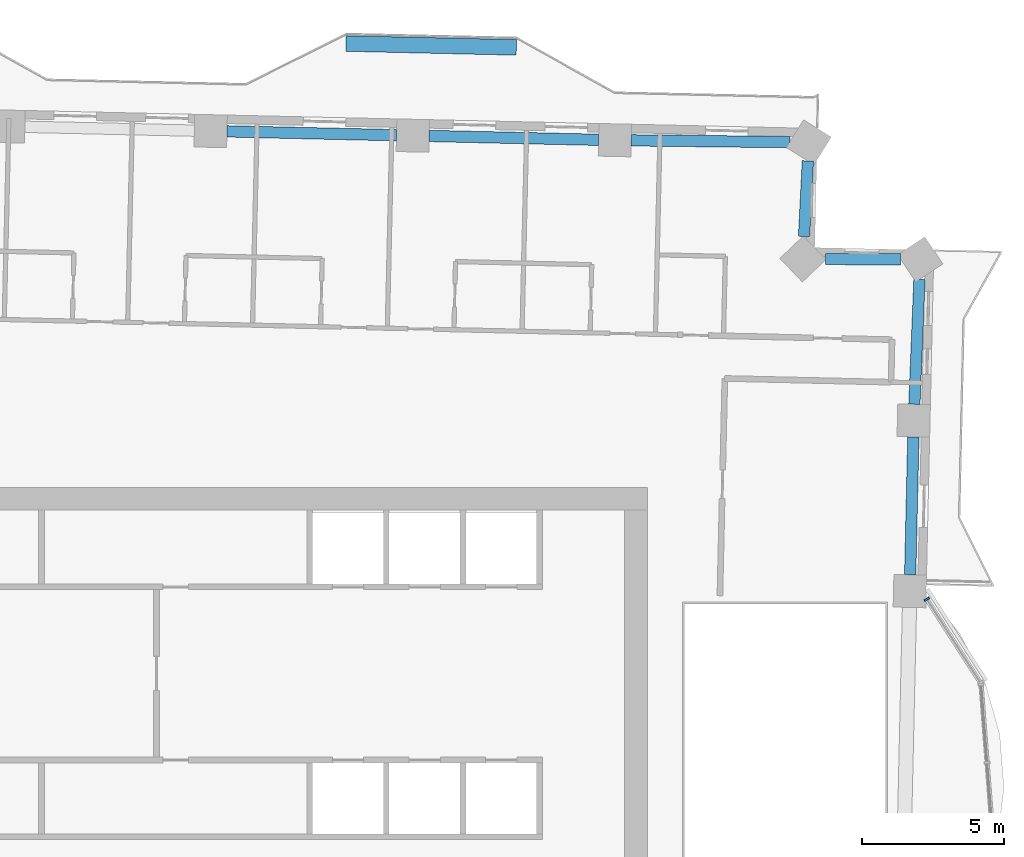
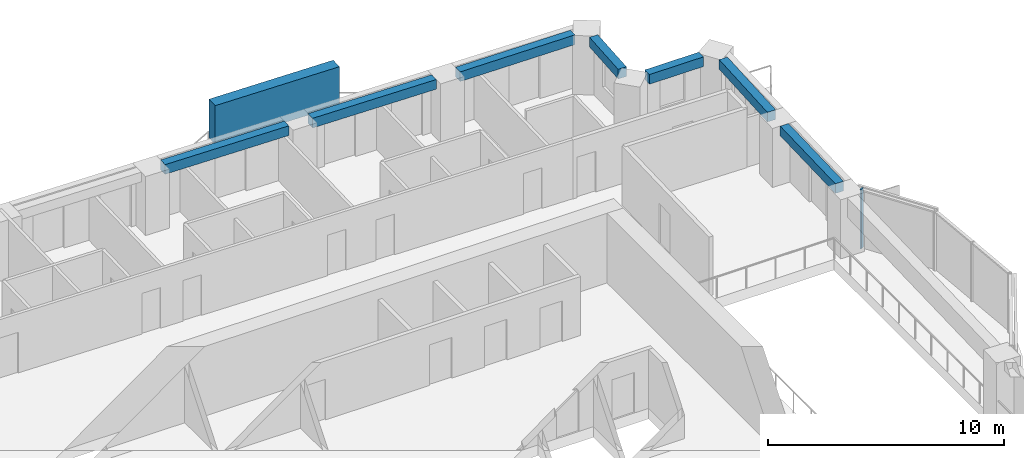
# One storey, part 4 of 16: 7 beams, 2 members, 1 element without a shape of its own.
"""IFC4 building model written with IfcOpenShell, lengths in metres."""

from ifc_helpers import new_model, si_unit, direction, frame, origin, origin_2d, place, context, subcontext, project, spatial, rectangle, extrude, material, material_profile, profile_set, type_object, element, aggregate, save


model = new_model("IFC4")

# Units and contexts
model_context = context("Model", 3, precision=1e-05, world=origin(), true_north=direction((0.0, 1.0)))
body_context = subcontext(model_context, "Body", "Model", "MODEL_VIEW")
ifc_project = project(units=[si_unit("LENGTHUNIT", "METRE"), si_unit("AREAUNIT", "SQUARE_METRE"), si_unit("VOLUMEUNIT", "CUBIC_METRE"), si_unit("PLANEANGLEUNIT", "RADIAN"), si_unit("MASSUNIT", "GRAM", prefix="KILO")], contexts=[model_context])

# Site, building, storey
site_placement = place(None, origin())
site = spatial("IfcSite", under=ifc_project, at=site_placement, CompositionType="ELEMENT")
building_placement = place(site_placement, origin())
building = spatial("IfcBuilding", under=site, at=building_placement, Name="Mangrove Gate Tower", CompositionType="ELEMENT")
storey_placement = place(building_placement, frame((0.0, 0.0, 201.5)))
storey = spatial("IfcBuildingStorey", under=building, at=storey_placement, Name="L51", CompositionType="ELEMENT", Elevation=201.5)

# Curtain wall, member
ifc_material_1 = material(Name="Aluminium and glass curtain wall", Category="aluminium")
curtain_wall_type = type_object("IfcCurtainWallType", Name="Atrium garden-court glazing wall", PredefinedType="NOTDEFINED", material=ifc_material_1)
curtain_wall_placement = place(storey_placement, origin())
curtain_wall = element("IfcCurtainWall", 1, at=curtain_wall_placement, inside=storey, type_object=curtain_wall_type, Name="Atrium garden-court glazing E1f3", PredefinedType="NOTDEFINED")
ifc_material_2 = material(Name="Aluminium alloy 6063-T6", Category="aluminium")
ifc_material_profile_1 = material_profile(ifc_material_2, rectangle(XDim=0.070068359375, YDim=0.199951171875, at=origin_2d()))
ifc_profile_set_1 = profile_set([ifc_material_profile_1], Name="Aluminium alloy 6063-T6")
member_type_1 = type_object("IfcMemberType", Name="Atrium garden-court glazing mullion 70x200", PredefinedType="MULLION", material=ifc_profile_set_1)
member_1_placement = place(storey_placement, frame((24.4443359375, 7.662109375, 0.0), z_axis=(0.0, 0.0, 1.0), x_axis=(-0.540523066602, 0.841329195067, 0.0)))
member_1 = element("IfcMember", 2, at=member_1_placement, type_object=member_type_1, Name="CWA mullion 2", PredefinedType="MULLION", context=body_context, shape_type="SweptSolid", body=[
    extrude(rectangle(XDim=0.070068359375, YDim=0.199951171875, at=origin_2d()), origin(), (0.0, 0.0, 1.0), 3.050048828125),
])
aggregate(curtain_wall, [member_1])

# Member
ifc_material_3 = material(Name="Planting on aluminium trellis", Category="aluminium")
ifc_material_profile_2 = material_profile(ifc_material_3, rectangle(XDim=0.550048828125, YDim=2.0, at=origin_2d()))
ifc_profile_set_2 = profile_set([ifc_material_profile_2], Name="Planting on aluminium trellis")
member_type_2 = type_object("IfcMemberType", Name="Balcony greenery screen 550x2000", PredefinedType="USERDEFINED", material=ifc_profile_set_2)
member_2_placement = place(storey_placement, frame((3.98193359375, 27.2451171875, 1.800048828125), z_axis=(0.999742255469, -0.022702921152, 0.0), x_axis=(0.022702921152, 0.999742255469, 0.0)))
element("IfcMember", 3, at=member_2_placement, inside=storey, type_object=member_type_2, Name="GREEN SCREEN L51 N0.1", ObjectType="PLANTING", PredefinedType="USERDEFINED", context=body_context, shape_type="SweptSolid", body=[
    extrude(rectangle(XDim=0.550048828125, YDim=2.0, at=origin_2d()), origin(), (0.0, 0.0, 1.0), 6.00048828125),
])

# Beams
ifc_material_4 = material(Name="Concrete C50/60", Category="concrete")
ifc_material_profile_3 = material_profile(ifc_material_4, rectangle(XDim=0.39990234375, YDim=0.5, at=origin_2d()))
ifc_profile_set_3 = profile_set([ifc_material_profile_3], Name="Concrete C50/60")
beam_type = type_object("IfcBeamType", Name="Edge beam RC 400x500 C50/60", PredefinedType="BEAM", material=ifc_profile_set_3)
beam_1_placement = place(storey_placement, frame((23.859130859375, 8.52490234375, 2.800048828125), z_axis=(0.022798974864, 0.999740069591, 0.0), x_axis=(-0.999740069591, 0.022798974864, 0.0)))
element("IfcBeam", 4, at=beam_1_placement, inside=storey, type_object=beam_type, Name="Edge beam L51 15", PredefinedType="BEAM", context=body_context, shape_type="SweptSolid", body=[
    extrude(rectangle(XDim=0.39990234375, YDim=0.5, at=origin_2d()), origin(), (0.0, 0.0, 1.0), 4.861572265625),
])
beam_2_placement = place(storey_placement, frame((24.006591796875, 14.53466796875, 2.800048828125), z_axis=(0.040852484804, 0.999165188788, 0.0), x_axis=(-0.999165188788, 0.040852484804, 0.0)))
element("IfcBeam", 5, at=beam_2_placement, inside=storey, type_object=beam_type, Name="Edge beam L51 16", PredefinedType="BEAM", context=body_context, shape_type="SweptSolid", body=[
    extrude(rectangle(XDim=0.39990234375, YDim=0.5, at=origin_2d()), origin(), (0.0, 0.0, 1.0), 4.3984375),
])
beam_3_placement = place(storey_placement, frame((23.522705078125, 19.64208984375, 2.800048828125), z_axis=(-0.999992123666, 0.003968955263, 0.0), x_axis=(-0.003968955263, -0.999992123666, 0.0)))
element("IfcBeam", 6, at=beam_3_placement, inside=storey, type_object=beam_type, Name="Edge beam L51 17", PredefinedType="BEAM", context=body_context, shape_type="SweptSolid", body=[
    extrude(rectangle(XDim=0.39990234375, YDim=0.5, at=origin_2d()), origin(), (0.0, 0.0, 1.0), 2.64501953125),
])
beam_4_placement = place(storey_placement, frame((20.119140625, 20.446044921875, 2.800048828125), z_axis=(0.050485995205, 0.998724769037, 0.0), x_axis=(-0.998724769037, 0.050485995205, 0.0)))
element("IfcBeam", 7, at=beam_4_placement, inside=storey, type_object=beam_type, Name="Edge beam L51 18", PredefinedType="BEAM", context=body_context, shape_type="SweptSolid", body=[
    extrude(rectangle(XDim=0.39990234375, YDim=0.5, at=origin_2d()), origin(), (0.0, 0.0, 1.0), 2.66455078125),
])
beam_5_placement = place(storey_placement, frame((19.61474609375, 23.77099609375, 2.800048828125), z_axis=(-0.999938842602, 0.011059432882, 0.0), x_axis=(-0.011059432882, -0.999938842602, 0.0)))
element("IfcBeam", 8, at=beam_5_placement, inside=storey, type_object=beam_type, Name="Edge beam L51 19", PredefinedType="BEAM", context=body_context, shape_type="SweptSolid", body=[
    extrude(rectangle(XDim=0.39990234375, YDim=0.5, at=origin_2d()), origin(), (0.0, 0.0, 1.0), 5.5849609375),
])
beam_6_placement = place(storey_placement, frame((12.880126953125, 23.852294921875, 2.800048828125), z_axis=(-0.999741814446, 0.022722333681, 0.0), x_axis=(-0.022722333681, -0.999741814446, 0.0)))
element("IfcBeam", 9, at=beam_6_placement, inside=storey, type_object=beam_type, Name="Edge beam L51 20", PredefinedType="BEAM", context=body_context, shape_type="SweptSolid", body=[
    extrude(rectangle(XDim=0.39990234375, YDim=0.5, at=origin_2d()), origin(), (0.0, 0.0, 1.0), 5.973876953125),
])
beam_7_placement = place(storey_placement, frame((5.758056640625, 24.01416015625, 2.800048828125), z_axis=(-0.999744571166, 0.022600717352, 0.0), x_axis=(-0.022600717352, -0.999744571166, 0.0)))
element("IfcBeam", 10, at=beam_7_placement, inside=storey, type_object=beam_type, Name="Edge beam L51 21", PredefinedType="BEAM", context=body_context, shape_type="SweptSolid", body=[
    extrude(rectangle(XDim=0.39990234375, YDim=0.5, at=origin_2d()), origin(), (0.0, 0.0, 1.0), 5.9736328125),
])

save(model, "model.ifc")
